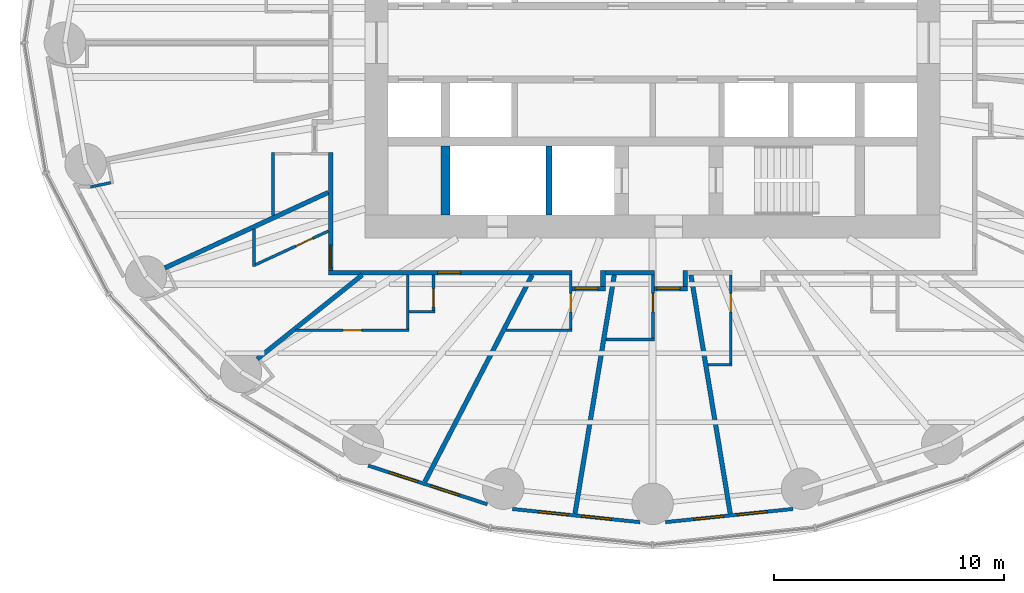
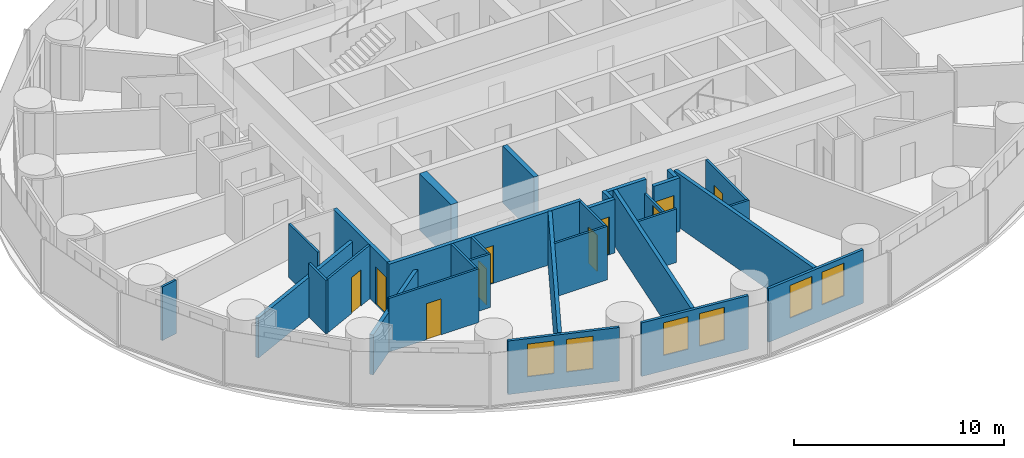
# One storey, part 6 of 14: 31 walls, 10 doors, 6 windows, 16 openings.
"""IFC4 building model written with IfcOpenShell, lengths in metres."""

from ifc_helpers import new_model, si_unit, direction, frame, frame_2d, origin, place, context, subcontext, project, spatial, rectangle, extrude, material, layer, layer_set, type_object, element, fill, save


model = new_model("IFC4")

# Units and contexts
model_context = context("Model", 3, precision=1e-05, world=origin(), true_north=direction((0.0, 1.0)))
body_context = subcontext(model_context, "Body", "Model", "MODEL_VIEW")
ifc_project = project(units=[si_unit("LENGTHUNIT", "METRE"), si_unit("AREAUNIT", "SQUARE_METRE"), si_unit("VOLUMEUNIT", "CUBIC_METRE"), si_unit("PLANEANGLEUNIT", "RADIAN"), si_unit("MASSUNIT", "GRAM", prefix="KILO")], contexts=[model_context])

# Site, building, storey
site_placement = place(None, origin())
site = spatial("IfcSite", under=ifc_project, at=site_placement, CompositionType="ELEMENT")
building_placement = place(site_placement, origin())
building = spatial("IfcBuilding", under=site, at=building_placement, Name="Hankou Lantern Tower", CompositionType="ELEMENT")
storey_placement = place(building_placement, frame((0.0, 0.0, 29.39990234375)))
storey = spatial("IfcBuildingStorey", under=building, at=storey_placement, Name="L05", CompositionType="ELEMENT", Elevation=29.39990234375)

# Wall
ifc_material_1 = material(Name="Concrete C60", Category="concrete")
ifc_layer_1 = layer(ifc_material_1, 0.39990234375)
ifc_layer_set_1 = layer_set([ifc_layer_1], Name="Concrete C60")
wall_type_1 = type_object("IfcWallType", Name="CW4 CORE CROSS WALL 400", PredefinedType="SHEAR", material=ifc_layer_set_1)
wall_1_placement = place(storey_placement, frame((-9.0, -7.5, 0.0), z_axis=(0.0, 0.0, 1.0), x_axis=(0.0, 1.0, 0.0)))
element("IfcWall", 1, at=wall_1_placement, inside=storey, type_object=wall_type_1, Name="Core strip wall L05", PredefinedType="SHEAR", context=body_context, shape_type="SweptSolid", body=[
    extrude(rectangle(XDim=3.0, YDim=0.39990234375, at=frame_2d((1.5, 0.0))), origin(), (0.0, 0.0, 1.0), 3.300048828125),
])

# Wall, openings, windows
ifc_material_2 = material(Name="Aluminium spandrel panel on steel studs", Category="steel")
ifc_layer_2 = layer(ifc_material_2, 0.14990234375)
ifc_layer_set_2 = layer_set([ifc_layer_2], Name="Aluminium spandrel panel on steel studs")
wall_type_2 = type_object("IfcWallType", Name="EW1 INNER SKIN WALL 150", PredefinedType="ELEMENTEDWALL", material=ifc_layer_set_2)
wall_2_placement = place(storey_placement, frame((-12.3662109375, -18.384033203125, 0.0), z_axis=(0.0, 0.0, 1.0), x_axis=(0.951138486029, -0.308764603532, 0.0)))
wall_2 = element("IfcWall", 2, at=wall_2_placement, inside=storey, type_object=wall_type_2, Name="Inner skin R17-R18 L05", PredefinedType="ELEMENTEDWALL", context=body_context, shape_type="SweptSolid", body=[
    extrude(rectangle(XDim=5.444091796875, YDim=0.14990234375, at=frame_2d((2.72216796875, 0.0))), origin(), (0.0, 0.0, 1.0), 3.1201171875),
])
opening_1_placement = place(wall_2_placement, frame((0.959716796875, 0.0, 0.89990234375)))
opening_1 = element("IfcOpeningElement", 3, at=opening_1_placement, cuts=wall_2, Name="Opening W9", PredefinedType="OPENING", context=body_context, shape_type="SweptSolid", body=[
    extrude(rectangle(XDim=1.300048828125, YDim=1.89990234375, at=frame_2d((0.64990234375, 0.949951171875))), frame((0.0, 0.0849609375, 0.0), z_axis=(0.0, -1.0, 0.0), x_axis=(1.0, 0.0, 0.0)), (0.0, 0.0, 1.0), 0.169921875),
])
opening_2_placement = place(wall_2_placement, frame((2.85986328125, 0.0, 0.89990234375)))
opening_2 = element("IfcOpeningElement", 4, at=opening_2_placement, cuts=wall_2, Name="Opening W9", PredefinedType="OPENING", context=body_context, shape_type="SweptSolid", body=[
    extrude(rectangle(XDim=1.300048828125, YDim=1.89990234375, at=frame_2d((0.64990234375, 0.949951171875))), frame((0.0, 0.0849609375, 0.0), z_axis=(0.0, -1.0, 0.0), x_axis=(1.0, 0.0, 0.0)), (0.0, 0.0, 1.0), 0.169921875),
])
ifc_material_3 = material(Name="Aluminium framed double glazed window", Category="aluminium")
window_type = type_object("IfcWindowType", Name="W9 GUEST ROOM WINDOW 1300X1900", PartitioningType="DOUBLE_PANEL_VERTICAL", PredefinedType="WINDOW", material=ifc_material_3)
window_1_placement = place(opening_1_placement, origin())
window_1 = element("IfcWindow", 5, at=window_1_placement, inside=storey, type_object=window_type, Name="Window R17.1 L05", OverallHeight=1.89990234375, OverallWidth=1.300048828125, PartitioningType="SINGLE_PANEL", PredefinedType="WINDOW", context=body_context, shape_type="SweptSolid", body=[
    extrude(rectangle(XDim=1.300048828125, YDim=1.89990234375, at=frame_2d((0.64990234375, 0.949951171875))), frame((0.0, 0.030029296875, 0.0), z_axis=(0.0, -1.0, 0.0), x_axis=(1.0, 0.0, 0.0)), (0.0, 0.0, 1.0), 0.06005859375),
])
fill(opening_1, window_1)
window_2_placement = place(opening_2_placement, origin())
window_2 = element("IfcWindow", 6, at=window_2_placement, inside=storey, type_object=window_type, Name="Window R17.2 L05", OverallHeight=1.89990234375, OverallWidth=1.300048828125, PartitioningType="SINGLE_PANEL", PredefinedType="WINDOW", context=body_context, shape_type="SweptSolid", body=[
    extrude(rectangle(XDim=1.300048828125, YDim=1.89990234375, at=frame_2d((0.64990234375, 0.949951171875))), frame((0.0, 0.030029296875, 0.0), z_axis=(0.0, -1.0, 0.0), x_axis=(1.0, 0.0, 0.0)), (0.0, 0.0, 1.0), 0.06005859375),
])
fill(opening_2, window_2)

wall_3_placement = place(storey_placement, frame((-6.09765625, -20.27099609375, 0.0), z_axis=(0.0, 0.0, 1.0), x_axis=(0.994723735084, -0.102589915983, 0.0)))
wall_3 = element("IfcWall", 7, at=wall_3_placement, inside=storey, type_object=wall_type_2, Name="Inner skin R18-R19 L05", PredefinedType="ELEMENTEDWALL", context=body_context, shape_type="SweptSolid", body=[
    extrude(rectangle(XDim=5.575927734375, YDim=0.14990234375, at=frame_2d((2.7880859375, 0.0))), origin(), (0.0, 0.0, 1.0), 3.1201171875),
])
opening_3_placement = place(wall_3_placement, frame((1.128662109375, 0.0, 0.89990234375)))
opening_3 = element("IfcOpeningElement", 8, at=opening_3_placement, cuts=wall_3, Name="Opening W9", PredefinedType="OPENING", context=body_context, shape_type="SweptSolid", body=[
    extrude(rectangle(XDim=1.300048828125, YDim=1.89990234375, at=frame_2d((0.64990234375, 0.949951171875))), frame((0.0, 0.0849609375, 0.0), z_axis=(0.0, -1.0, 0.0), x_axis=(1.0, 0.0, 0.0)), (0.0, 0.0, 1.0), 0.169921875),
])
opening_4_placement = place(wall_3_placement, frame((3.02880859375, 0.0, 0.89990234375)))
opening_4 = element("IfcOpeningElement", 9, at=opening_4_placement, cuts=wall_3, Name="Opening W9", PredefinedType="OPENING", context=body_context, shape_type="SweptSolid", body=[
    extrude(rectangle(XDim=1.300048828125, YDim=1.89990234375, at=frame_2d((0.64990234375, 0.949951171875))), frame((0.0, 0.0849609375, 0.0), z_axis=(0.0, -1.0, 0.0), x_axis=(1.0, 0.0, 0.0)), (0.0, 0.0, 1.0), 0.169921875),
])
window_3_placement = place(opening_3_placement, origin())
window_3 = element("IfcWindow", 10, at=window_3_placement, inside=storey, type_object=window_type, Name="Window R18.1 L05", OverallHeight=1.89990234375, OverallWidth=1.300048828125, PartitioningType="SINGLE_PANEL", PredefinedType="WINDOW", context=body_context, shape_type="SweptSolid", body=[
    extrude(rectangle(XDim=1.300048828125, YDim=1.89990234375, at=frame_2d((0.64990234375, 0.949951171875))), frame((0.0, 0.030029296875, 0.0), z_axis=(0.0, -1.0, 0.0), x_axis=(1.0, 0.0, 0.0)), (0.0, 0.0, 1.0), 0.06005859375),
])
fill(opening_3, window_3)
window_4_placement = place(opening_4_placement, origin())
window_4 = element("IfcWindow", 11, at=window_4_placement, inside=storey, type_object=window_type, Name="Window R18.2 L05", OverallHeight=1.89990234375, OverallWidth=1.300048828125, PartitioningType="SINGLE_PANEL", PredefinedType="WINDOW", context=body_context, shape_type="SweptSolid", body=[
    extrude(rectangle(XDim=1.300048828125, YDim=1.89990234375, at=frame_2d((0.64990234375, 0.949951171875))), frame((0.0, 0.030029296875, 0.0), z_axis=(0.0, -1.0, 0.0), x_axis=(1.0, 0.0, 0.0)), (0.0, 0.0, 1.0), 0.06005859375),
])
fill(opening_4, window_4)

wall_4_placement = place(storey_placement, frame((0.55126953125, -20.843017578125, 0.0), z_axis=(0.0, 0.0, 1.0), x_axis=(0.994723735084, 0.102589915983, 0.0)))
wall_4 = element("IfcWall", 12, at=wall_4_placement, inside=storey, type_object=wall_type_2, Name="Inner skin R19-R20 L05", PredefinedType="ELEMENTEDWALL", context=body_context, shape_type="SweptSolid", body=[
    extrude(rectangle(XDim=5.575927734375, YDim=0.14990234375, at=frame_2d((2.7880859375, 0.0))), origin(), (0.0, 0.0, 1.0), 3.1201171875),
])
opening_5_placement = place(wall_4_placement, frame((1.246826171875, 0.0, 0.89990234375)))
opening_5 = element("IfcOpeningElement", 13, at=opening_5_placement, cuts=wall_4, Name="Opening W9", PredefinedType="OPENING", context=body_context, shape_type="SweptSolid", body=[
    extrude(rectangle(XDim=1.300048828125, YDim=1.89990234375, at=frame_2d((0.64990234375, 0.949951171875))), frame((0.0, 0.0849609375, 0.0), z_axis=(0.0, -1.0, 0.0), x_axis=(1.0, 0.0, 0.0)), (0.0, 0.0, 1.0), 0.169921875),
])
opening_6_placement = place(wall_4_placement, frame((3.146728515625, 0.0, 0.89990234375)))
opening_6 = element("IfcOpeningElement", 14, at=opening_6_placement, cuts=wall_4, Name="Opening W9", PredefinedType="OPENING", context=body_context, shape_type="SweptSolid", body=[
    extrude(rectangle(XDim=1.300048828125, YDim=1.89990234375, at=frame_2d((0.64990234375, 0.949951171875))), frame((0.0, 0.0849609375, 0.0), z_axis=(0.0, -1.0, 0.0), x_axis=(1.0, 0.0, 0.0)), (0.0, 0.0, 1.0), 0.169921875),
])
window_5_placement = place(opening_5_placement, origin())
window_5 = element("IfcWindow", 15, at=window_5_placement, inside=storey, type_object=window_type, Name="Window R19.1 L05", OverallHeight=1.89990234375, OverallWidth=1.300048828125, PartitioningType="SINGLE_PANEL", PredefinedType="WINDOW", context=body_context, shape_type="SweptSolid", body=[
    extrude(rectangle(XDim=1.300048828125, YDim=1.89990234375, at=frame_2d((0.64990234375, 0.949951171875))), frame((0.0, 0.030029296875, 0.0), z_axis=(0.0, -1.0, 0.0), x_axis=(1.0, 0.0, 0.0)), (0.0, 0.0, 1.0), 0.06005859375),
])
fill(opening_5, window_5)
window_6_placement = place(opening_6_placement, origin())
window_6 = element("IfcWindow", 16, at=window_6_placement, inside=storey, type_object=window_type, Name="Window R19.2 L05", OverallHeight=1.89990234375, OverallWidth=1.300048828125, PartitioningType="SINGLE_PANEL", PredefinedType="WINDOW", context=body_context, shape_type="SweptSolid", body=[
    extrude(rectangle(XDim=1.300048828125, YDim=1.89990234375, at=frame_2d((0.64990234375, 0.949951171875))), frame((0.0, 0.030029296875, 0.0), z_axis=(0.0, -1.0, 0.0), x_axis=(1.0, 0.0, 0.0)), (0.0, 0.0, 1.0), 0.06005859375),
])
fill(opening_6, window_6)

# Walls
ifc_material_4 = material(Name="Masonry lightweight concrete block", Category="masonry")
ifc_layer_3 = layer(ifc_material_4, 0.199951171875)
ifc_layer_set_3 = layer_set([ifc_layer_3], Name="Masonry lightweight concrete block")
wall_type_3 = type_object("IfcWallType", Name="IW1 GUEST ROOM PARTY WALL 200", PredefinedType="PARTITIONING", material=ifc_layer_set_3)
wall_5_placement = place(storey_placement, frame((-14.10009765625, -6.512451171875, 0.0), z_axis=(0.0, 0.0, 1.0), x_axis=(-0.907842433118, -0.41931147925, 0.0)))
element("IfcWall", 17, at=wall_5_placement, inside=storey, type_object=wall_type_3, Name="Party wall R15", PredefinedType="PARTITIONING", context=body_context, shape_type="SweptSolid", body=[
    extrude(rectangle(XDim=7.822998046875, YDim=0.199951171875, at=frame_2d((3.91162109375, 0.0))), origin(), (0.0, 0.0, 1.0), 2.320068359375),
])
wall_6_placement = place(storey_placement, frame((-12.625, -10.10009765625, 0.0), z_axis=(0.0, 0.0, 1.0), x_axis=(-0.780872884676, -0.624689953479, 0.0)))
element("IfcWall", 18, at=wall_6_placement, inside=storey, type_object=wall_type_3, Name="Party wall R16", PredefinedType="PARTITIONING", context=body_context, shape_type="SweptSolid", body=[
    extrude(rectangle(XDim=5.8447265625, YDim=0.199951171875, at=frame_2d((2.92236328125, 0.0))), origin(), (0.0, 0.0, 1.0), 2.320068359375),
])
wall_7_placement = place(storey_placement, frame((-5.238525390625, -10.10009765625, 0.0), z_axis=(0.0, 0.0, 1.0), x_axis=(-0.460422783389, -0.887699758103, 0.0)))
element("IfcWall", 19, at=wall_7_placement, inside=storey, type_object=wall_type_3, Name="Party wall R17-R18", PredefinedType="PARTITIONING", context=body_context, shape_type="SweptSolid", body=[
    extrude(rectangle(XDim=10.120361328125, YDim=0.199951171875, at=frame_2d((5.06005859375, 0.0))), origin(), (0.0, 0.0, 1.0), 3.1201171875),
])
for number, where, z_axis, x_axis, name in (
    (20, (-1.6650390625, -10.10009765625, 0.0), (0.0, 0.0, 1.0), (-0.162657606458, -0.986682574621, 0.0), "Party wall R18-R19"),
    (21, (1.6650390625, -10.10009765625, 0.0), (0.0, 0.0, 1.0), (0.162657606458, -0.986682574621, 0.0), "Party wall R19-R20"),
):
    element("IfcWall", number, at=place(storey_placement, frame(where, z_axis=z_axis, x_axis=x_axis)), inside=storey, type_object=wall_type_3, Name=name, PredefinedType="PARTITIONING", context=body_context, shape_type="SweptSolid", body=[
        extrude(rectangle(XDim=10.505126953125, YDim=0.199951171875, at=frame_2d((5.25244140625, 0.0))), origin(), (0.0, 0.0, 1.0), 3.1201171875),
    ])

# Wall, opening, door
ifc_material_5 = material(Name="Masonry lightweight concrete block", Category="masonry")
ifc_layer_4 = layer(ifc_material_5, 0.199951171875)
ifc_layer_set_4 = layer_set([ifc_layer_4], Name="Masonry lightweight concrete block")
wall_type_4 = type_object("IfcWallType", Name="IW2 CORRIDOR WALL 200", PredefinedType="PARTITIONING", material=ifc_layer_set_4)
wall_8_placement = place(storey_placement, frame((-2.05859375, -10.699951171875, 0.0), z_axis=(0.0, 0.0, 1.0), x_axis=(-1.0, 0.0, 0.0)))
wall_8 = element("IfcWall", 22, at=wall_8_placement, inside=storey, type_object=wall_type_4, Name="Corridor recess wall 0519 back", PredefinedType="PARTITIONING", context=body_context, shape_type="SweptSolid", body=[
    extrude(rectangle(XDim=1.43994140625, YDim=0.199951171875, at=frame_2d((0.719970703125, 0.0))), origin(), (0.0, 0.0, 1.0), 3.1201171875),
])
opening_7_placement = place(wall_8_placement, frame((0.320068359375, 0.0, 0.0)))
opening_7 = element("IfcOpeningElement", 23, at=opening_7_placement, cuts=wall_8, Name="Opening D1", PredefinedType="OPENING", context=body_context, shape_type="SweptSolid", body=[
    extrude(rectangle(XDim=1.0, YDim=2.199951171875, at=frame_2d((0.5, 1.10009765625))), frame((0.0, 0.10986328125, 0.0), z_axis=(0.0, -1.0, 0.0), x_axis=(1.0, 0.0, 0.0)), (0.0, 0.0, 1.0), 0.219970703125),
])
ifc_material_6 = material(Name="Steel door leaf", Category="steel")
door_type_1 = type_object("IfcDoorType", Name="D1 GUEST ROOM DOOR 1000X2200", OperationType="SINGLE_SWING_LEFT", PredefinedType="DOOR", material=ifc_material_6)
door_1_placement = place(opening_7_placement, origin())
door_1 = element("IfcDoor", 24, at=door_1_placement, inside=storey, type_object=door_type_1, Name="Guest room door 0519", OperationType="SINGLE_SWING_RIGHT", OverallHeight=2.199951171875, OverallWidth=1.0, PredefinedType="DOOR", context=body_context, shape_type="SweptSolid", body=[
    extrude(rectangle(XDim=1.0, YDim=2.199951171875, at=frame_2d((0.5, 1.10009765625))), frame((0.0, 0.02490234375, 0.0), z_axis=(0.0, -1.0, 0.0), x_axis=(1.0, 0.0, 0.0)), (0.0, 0.0, 1.0), 0.050048828125),
])
fill(opening_7, door_1)

# Wall
wall_9_placement = place(storey_placement, frame((-2.15869140625, -9.89990234375, 0.0), z_axis=(0.0, 0.0, 1.0), x_axis=(0.0, -1.0, 0.0)))
element("IfcWall", 25, at=wall_9_placement, inside=storey, type_object=wall_type_4, Name="Corridor recess wall 0519 side", PredefinedType="PARTITIONING", context=body_context, shape_type="SweptSolid", body=[
    extrude(rectangle(XDim=0.7001953125, YDim=0.199951171875, at=frame_2d((0.35009765625, 0.0))), origin(), (0.0, 0.0, 1.0), 3.1201171875),
])

# Wall, opening, door
wall_10_placement = place(storey_placement, frame((1.51513671875, -10.699951171875, 0.0), z_axis=(0.0, 0.0, 1.0), x_axis=(-1.0, 0.0, 0.0)))
wall_10 = element("IfcWall", 26, at=wall_10_placement, inside=storey, type_object=wall_type_4, Name="Corridor recess wall 0520 back", PredefinedType="PARTITIONING", context=body_context, shape_type="SweptSolid", body=[
    extrude(rectangle(XDim=1.440185546875, YDim=0.199951171875, at=frame_2d((0.72021484375, 0.0))), origin(), (0.0, 0.0, 1.0), 3.1201171875),
])
opening_8_placement = place(wall_10_placement, frame((0.320068359375, 0.0, 0.0)))
opening_8 = element("IfcOpeningElement", 27, at=opening_8_placement, cuts=wall_10, Name="Opening D1", PredefinedType="OPENING", context=body_context, shape_type="SweptSolid", body=[
    extrude(rectangle(XDim=1.0, YDim=2.199951171875, at=frame_2d((0.5, 1.10009765625))), frame((0.0, 0.10986328125, 0.0), z_axis=(0.0, -1.0, 0.0), x_axis=(1.0, 0.0, 0.0)), (0.0, 0.0, 1.0), 0.219970703125),
])
door_2_placement = place(opening_8_placement, origin())
door_2 = element("IfcDoor", 28, at=door_2_placement, inside=storey, type_object=door_type_1, Name="Guest room door 0520", OperationType="SINGLE_SWING_RIGHT", OverallHeight=2.199951171875, OverallWidth=1.0, PredefinedType="DOOR", context=body_context, shape_type="SweptSolid", body=[
    extrude(rectangle(XDim=1.0, YDim=2.199951171875, at=frame_2d((0.5, 1.10009765625))), frame((0.0, 0.02490234375, 0.0), z_axis=(0.0, -1.0, 0.0), x_axis=(1.0, 0.0, 0.0)), (0.0, 0.0, 1.0), 0.050048828125),
])
fill(opening_8, door_2)

# Wall
wall_11_placement = place(storey_placement, frame((1.4150390625, -9.89990234375, 0.0), z_axis=(0.0, 0.0, 1.0), x_axis=(0.0, -1.0, 0.0)))
element("IfcWall", 29, at=wall_11_placement, inside=storey, type_object=wall_type_4, Name="Corridor recess wall 0520 side", PredefinedType="PARTITIONING", context=body_context, shape_type="SweptSolid", body=[
    extrude(rectangle(XDim=0.7001953125, YDim=0.199951171875, at=frame_2d((0.35009765625, 0.0))), origin(), (0.0, 0.0, 1.0), 3.1201171875),
])

# Wall, opening, door
wall_12_placement = place(storey_placement, frame((-14.0, -4.7724609375, 0.0), z_axis=(0.0, 0.0, 1.0), x_axis=(0.0, -1.0, 0.0)))
wall_12 = element("IfcWall", 30, at=wall_12_placement, inside=storey, type_object=wall_type_4, Name="Corridor wall west", PredefinedType="PARTITIONING", context=body_context, shape_type="SweptSolid", body=[
    extrude(rectangle(XDim=5.12744140625, YDim=0.199951171875, at=frame_2d((2.563720703125, 0.0))), origin(), (0.0, 0.0, 1.0), 3.1201171875),
])
opening_9_placement = place(wall_12_placement, frame((4.02490234375, 0.0, 0.0)))
opening_9 = element("IfcOpeningElement", 31, at=opening_9_placement, cuts=wall_12, Name="Opening D1", PredefinedType="OPENING", context=body_context, shape_type="SweptSolid", body=[
    extrude(rectangle(XDim=1.0, YDim=2.199951171875, at=frame_2d((0.5, 1.10009765625))), frame((0.0, 0.10986328125, 0.0), z_axis=(0.0, -1.0, 0.0), x_axis=(1.0, 0.0, 0.0)), (0.0, 0.0, 1.0), 0.219970703125),
])
door_3_placement = place(opening_9_placement, origin())
door_3 = element("IfcDoor", 32, at=door_3_placement, inside=storey, type_object=door_type_1, Name="Guest room door 0517", OperationType="SINGLE_SWING_RIGHT", OverallHeight=2.199951171875, OverallWidth=1.0, PredefinedType="DOOR", context=body_context, shape_type="SweptSolid", body=[
    extrude(rectangle(XDim=1.0, YDim=2.199951171875, at=frame_2d((0.5, 1.10009765625))), frame((0.0, 0.02490234375, 0.0), z_axis=(0.0, -1.0, 0.0), x_axis=(1.0, 0.0, 0.0)), (0.0, 0.0, 1.0), 0.050048828125),
])
fill(opening_9, door_3)

# Wall
wall_13_placement = place(storey_placement, frame((0.074951171875, -10.0, 0.0), z_axis=(0.0, 0.0, 1.0), x_axis=(-1.0, 0.0, 0.0)))
element("IfcWall", 33, at=wall_13_placement, inside=storey, type_object=wall_type_4, Name="Corridor wall south", PredefinedType="PARTITIONING", context=body_context, shape_type="SweptSolid", body=[
    extrude(rectangle(XDim=2.133544921875, YDim=0.199951171875, at=frame_2d((1.06689453125, 0.0))), origin(), (0.0, 0.0, 1.0), 3.1201171875),
])

# Wall, opening, door
wall_14_placement = place(storey_placement, frame((-3.49853515625, -10.0, 0.0), z_axis=(0.0, 0.0, 1.0), x_axis=(-1.0, 0.0, 0.0)))
wall_14 = element("IfcWall", 34, at=wall_14_placement, inside=storey, type_object=wall_type_4, Name="Corridor wall south", PredefinedType="PARTITIONING", context=body_context, shape_type="SweptSolid", body=[
    extrude(rectangle(XDim=10.6015625, YDim=0.199951171875, at=frame_2d((5.30078125, 0.0))), origin(), (0.0, 0.0, 1.0), 3.1201171875),
])
opening_10_placement = place(wall_14_placement, frame((4.846435546875, 0.0, 0.0)))
opening_10 = element("IfcOpeningElement", 35, at=opening_10_placement, cuts=wall_14, Name="Opening D1", PredefinedType="OPENING", context=body_context, shape_type="SweptSolid", body=[
    extrude(rectangle(XDim=1.0, YDim=2.199951171875, at=frame_2d((0.5, 1.10009765625))), frame((0.0, 0.10986328125, 0.0), z_axis=(0.0, -1.0, 0.0), x_axis=(1.0, 0.0, 0.0)), (0.0, 0.0, 1.0), 0.219970703125),
])
door_4_placement = place(opening_10_placement, origin())
door_4 = element("IfcDoor", 36, at=door_4_placement, inside=storey, type_object=door_type_1, Name="Guest room door 0518", OperationType="SINGLE_SWING_RIGHT", OverallHeight=2.199951171875, OverallWidth=1.0, PredefinedType="DOOR", context=body_context, shape_type="SweptSolid", body=[
    extrude(rectangle(XDim=1.0, YDim=2.199951171875, at=frame_2d((0.5, 1.10009765625))), frame((0.0, 0.02490234375, 0.0), z_axis=(0.0, -1.0, 0.0), x_axis=(1.0, 0.0, 0.0)), (0.0, 0.0, 1.0), 0.050048828125),
])
fill(opening_10, door_4)

# Walls
ifc_material_7 = material(Name="Masonry lightweight concrete block", Category="masonry")
ifc_layer_5 = layer(ifc_material_7, 0.1201171875)
ifc_layer_set_5 = layer_set([ifc_layer_5], Name="Masonry lightweight concrete block")
wall_type_5 = type_object("IfcWallType", Name="IW3 BATHROOM WALL 120", PredefinedType="PARTITIONING", material=ifc_layer_set_5)
wall_15_placement = place(storey_placement, frame((-16.5, -7.52099609375, 0.0), z_axis=(0.0, 0.0, 1.0), x_axis=(0.0, 1.0, 0.0)))
element("IfcWall", 37, at=wall_15_placement, inside=storey, type_object=wall_type_5, Name="Box wall 0516 1", PredefinedType="PARTITIONING", context=body_context, shape_type="SweptSolid", body=[
    extrude(rectangle(XDim=2.74853515625, YDim=0.1201171875, at=frame_2d((1.374267578125, 0.0))), origin(), (0.0, 0.0, 1.0), 3.1201171875),
])
wall_16_placement = place(storey_placement, frame((-17.32275390625, -8.10107421875, 0.0), z_axis=(0.0, 0.0, 1.0), x_axis=(0.0, -1.0, 0.0)))
element("IfcWall", 38, at=wall_16_placement, inside=storey, type_object=wall_type_5, Name="Box wall 0517 1", PredefinedType="PARTITIONING", context=body_context, shape_type="SweptSolid", body=[
    extrude(rectangle(XDim=1.639892578125, YDim=0.1201171875, at=frame_2d((0.81982421875, 0.0))), origin(), (0.0, 0.0, 1.0), 3.1201171875),
])

# Wall, opening, door
wall_17_placement = place(storey_placement, frame((-14.10009765625, -8.192626953125, 0.0), z_axis=(0.0, 0.0, 1.0), x_axis=(-0.907836493557, -0.419324338628, 0.0)))
wall_17 = element("IfcWall", 39, at=wall_17_placement, inside=storey, type_object=wall_type_5, Name="Box wall 0517 1", PredefinedType="PARTITIONING", context=body_context, shape_type="SweptSolid", body=[
    extrude(rectangle(XDim=3.48974609375, YDim=0.1201171875, at=frame_2d((1.744873046875, 0.0))), origin(), (0.0, 0.0, 1.0), 3.1201171875),
])
opening_11_placement = place(wall_17_placement, frame((0.75, 0.0, 0.0)))
opening_11 = element("IfcOpeningElement", 40, at=opening_11_placement, cuts=wall_17, Name="Opening D3", PredefinedType="OPENING", context=body_context, shape_type="SweptSolid", body=[
    extrude(rectangle(XDim=0.800048828125, YDim=2.10009765625, at=frame_2d((0.39990234375, 1.050048828125))), frame((0.0, 0.070068359375, 0.0), z_axis=(0.0, -1.0, 0.0), x_axis=(1.0, 0.0, 0.0)), (0.0, 0.0, 1.0), 0.14013671875),
])
ifc_material_8 = material(Name="Timber door leaf", Category="wood")
door_type_2 = type_object("IfcDoorType", Name="D3 BATHROOM DOOR 800X2100", OperationType="SINGLE_SWING_LEFT", PredefinedType="DOOR", material=ifc_material_8)
door_5_placement = place(opening_11_placement, origin())
door_5 = element("IfcDoor", 41, at=door_5_placement, inside=storey, type_object=door_type_2, Name="En-suite bathroom 0517 door", OperationType="SINGLE_SWING_LEFT", OverallHeight=2.10009765625, OverallWidth=0.800048828125, PredefinedType="DOOR", context=body_context, shape_type="SweptSolid", body=[
    extrude(rectangle(XDim=0.800048828125, YDim=2.10009765625, at=frame_2d((0.39990234375, 1.050048828125))), frame((0.0, 0.02490234375, 0.0), z_axis=(0.0, -1.0, 0.0), x_axis=(1.0, 0.0, 0.0)), (0.0, 0.0, 1.0), 0.050048828125),
])
fill(opening_11, door_5)

wall_18_placement = place(storey_placement, frame((-15.52490234375, -12.5, 0.0), z_axis=(0.0, 0.0, 1.0), x_axis=(1.0, 0.0, 0.0)))
wall_18 = element("IfcWall", 42, at=wall_18_placement, inside=storey, type_object=wall_type_5, Name="Box wall 0518 1", PredefinedType="PARTITIONING", context=body_context, shape_type="SweptSolid", body=[
    extrude(rectangle(XDim=4.93994140625, YDim=0.1201171875, at=frame_2d((2.469970703125, 0.0))), origin(), (0.0, 0.0, 1.0), 3.1201171875),
])
opening_12_placement = place(wall_18_placement, frame((2.070068359375, 0.0, 0.0)))
opening_12 = element("IfcOpeningElement", 43, at=opening_12_placement, cuts=wall_18, Name="Opening D3", PredefinedType="OPENING", context=body_context, shape_type="SweptSolid", body=[
    extrude(rectangle(XDim=0.800048828125, YDim=2.10009765625, at=frame_2d((0.39990234375, 1.050048828125))), frame((0.0, 0.070068359375, 0.0), z_axis=(0.0, -1.0, 0.0), x_axis=(1.0, 0.0, 0.0)), (0.0, 0.0, 1.0), 0.14013671875),
])
door_6_placement = place(opening_12_placement, origin())
door_6 = element("IfcDoor", 44, at=door_6_placement, inside=storey, type_object=door_type_2, Name="En-suite bathroom 0518 door", OperationType="SINGLE_SWING_RIGHT", OverallHeight=2.10009765625, OverallWidth=0.800048828125, PredefinedType="DOOR", context=body_context, shape_type="SweptSolid", body=[
    extrude(rectangle(XDim=0.800048828125, YDim=2.10009765625, at=frame_2d((0.39990234375, 1.050048828125))), frame((0.0, 0.02490234375, 0.0), z_axis=(0.0, -1.0, 0.0), x_axis=(1.0, 0.0, 0.0)), (0.0, 0.0, 1.0), 0.050048828125),
])
fill(opening_12, door_6)

# Walls
wall_19_placement = place(storey_placement, frame((-10.64501953125, -10.10009765625, 0.0), z_axis=(0.0, 0.0, 1.0), x_axis=(0.0, -1.0, 0.0)))
element("IfcWall", 45, at=wall_19_placement, inside=storey, type_object=wall_type_5, Name="Box wall 0518 1", PredefinedType="PARTITIONING", context=body_context, shape_type="SweptSolid", body=[
    extrude(rectangle(XDim=2.33984375, YDim=0.1201171875, at=frame_2d((1.169921875, 0.0))), origin(), (0.0, 0.0, 1.0), 3.1201171875),
])
wall_20_placement = place(storey_placement, frame((-10.5849609375, -11.699951171875, 0.0), z_axis=(0.0, 0.0, 1.0), x_axis=(1.0, 0.0, 0.0)))
element("IfcWall", 46, at=wall_20_placement, inside=storey, type_object=wall_type_5, Name="Box wall 0518 2", PredefinedType="PARTITIONING", context=body_context, shape_type="SweptSolid", body=[
    extrude(rectangle(XDim=1.119873046875, YDim=0.1201171875, at=frame_2d((0.56005859375, 0.0))), origin(), (0.0, 0.0, 1.0), 3.1201171875),
])

# Wall, opening, door
wall_21_placement = place(storey_placement, frame((-9.52490234375, -10.10009765625, 0.0), z_axis=(0.0, 0.0, 1.0), x_axis=(0.0, -1.0, 0.0)))
wall_21 = element("IfcWall", 47, at=wall_21_placement, inside=storey, type_object=wall_type_5, Name="Box wall 0518 2", PredefinedType="PARTITIONING", context=body_context, shape_type="SweptSolid", body=[
    extrude(rectangle(XDim=1.539794921875, YDim=0.1201171875, at=frame_2d((0.77001953125, 0.0))), origin(), (0.0, 0.0, 1.0), 3.1201171875),
])
opening_13_placement = place(wall_21_placement, frame((0.590087890625, 0.0, 0.0)))
opening_13 = element("IfcOpeningElement", 48, at=opening_13_placement, cuts=wall_21, Name="Opening D3", PredefinedType="OPENING", context=body_context, shape_type="SweptSolid", body=[
    extrude(rectangle(XDim=0.800048828125, YDim=2.10009765625, at=frame_2d((0.39990234375, 1.050048828125))), frame((0.0, 0.070068359375, 0.0), z_axis=(0.0, -1.0, 0.0), x_axis=(1.0, 0.0, 0.0)), (0.0, 0.0, 1.0), 0.14013671875),
])
door_7_placement = place(opening_13_placement, origin())
door_7 = element("IfcDoor", 49, at=door_7_placement, inside=storey, type_object=door_type_2, Name="En-suite WC 0518 door", OperationType="SINGLE_SWING_LEFT", OverallHeight=2.10009765625, OverallWidth=0.800048828125, PredefinedType="DOOR", context=body_context, shape_type="SweptSolid", body=[
    extrude(rectangle(XDim=0.800048828125, YDim=2.10009765625, at=frame_2d((0.39990234375, 1.050048828125))), frame((0.0, 0.02490234375, 0.0), z_axis=(0.0, -1.0, 0.0), x_axis=(1.0, 0.0, 0.0)), (0.0, 0.0, 1.0), 0.050048828125),
])
fill(opening_13, door_7)

# Wall
wall_22_placement = place(storey_placement, frame((-6.38330078125, -12.5, 0.0), z_axis=(0.0, 0.0, 1.0), x_axis=(1.0, 0.0, 0.0)))
element("IfcWall", 50, at=wall_22_placement, inside=storey, type_object=wall_type_5, Name="Box wall 0519 1", PredefinedType="PARTITIONING", context=body_context, shape_type="SweptSolid", body=[
    extrude(rectangle(XDim=2.884765625, YDim=0.1201171875, at=frame_2d((1.4423828125, 0.0))), origin(), (0.0, 0.0, 1.0), 3.1201171875),
])

# Wall, opening, door
wall_23_placement = place(storey_placement, frame((-3.55859375, -10.10009765625, 0.0), z_axis=(0.0, 0.0, 1.0), x_axis=(0.0, -1.0, 0.0)))
wall_23 = element("IfcWall", 51, at=wall_23_placement, inside=storey, type_object=wall_type_5, Name="Box wall 0519 1", PredefinedType="PARTITIONING", context=body_context, shape_type="SweptSolid", body=[
    extrude(rectangle(XDim=2.33984375, YDim=0.1201171875, at=frame_2d((1.169921875, 0.0))), origin(), (0.0, 0.0, 1.0), 3.1201171875),
])
opening_14_placement = place(wall_23_placement, frame((0.800048828125, 0.0, 0.0)))
opening_14 = element("IfcOpeningElement", 52, at=opening_14_placement, cuts=wall_23, Name="Opening D3", PredefinedType="OPENING", context=body_context, shape_type="SweptSolid", body=[
    extrude(rectangle(XDim=0.800048828125, YDim=2.10009765625, at=frame_2d((0.39990234375, 1.050048828125))), frame((0.0, 0.070068359375, 0.0), z_axis=(0.0, -1.0, 0.0), x_axis=(1.0, 0.0, 0.0)), (0.0, 0.0, 1.0), 0.14013671875),
])
door_8_placement = place(opening_14_placement, origin())
door_8 = element("IfcDoor", 53, at=door_8_placement, inside=storey, type_object=door_type_2, Name="En-suite bathroom 0519 door", OperationType="SINGLE_SWING_LEFT", OverallHeight=2.10009765625, OverallWidth=0.800048828125, PredefinedType="DOOR", context=body_context, shape_type="SweptSolid", body=[
    extrude(rectangle(XDim=0.800048828125, YDim=2.10009765625, at=frame_2d((0.39990234375, 1.050048828125))), frame((0.0, 0.02490234375, 0.0), z_axis=(0.0, -1.0, 0.0), x_axis=(1.0, 0.0, 0.0)), (0.0, 0.0, 1.0), 0.050048828125),
])
fill(opening_14, door_8)

# Wall
wall_24_placement = place(storey_placement, frame((-2.026611328125, -12.89990234375, 0.0), z_axis=(0.0, 0.0, 1.0), x_axis=(1.0, 0.0, 0.0)))
element("IfcWall", 54, at=wall_24_placement, inside=storey, type_object=wall_type_5, Name="Box wall 0520 1", PredefinedType="PARTITIONING", context=body_context, shape_type="SweptSolid", body=[
    extrude(rectangle(XDim=2.1015625, YDim=0.1201171875, at=frame_2d((1.05078125, 0.0))), origin(), (0.0, 0.0, 1.0), 3.1201171875),
])

# Wall, opening, door
wall_25_placement = place(storey_placement, frame((0.01513671875, -10.10009765625, 0.0), z_axis=(0.0, 0.0, 1.0), x_axis=(0.0, -1.0, 0.0)))
wall_25 = element("IfcWall", 55, at=wall_25_placement, inside=storey, type_object=wall_type_5, Name="Box wall 0520 1", PredefinedType="PARTITIONING", context=body_context, shape_type="SweptSolid", body=[
    extrude(rectangle(XDim=2.739990234375, YDim=0.1201171875, at=frame_2d((1.3701171875, 0.0))), origin(), (0.0, 0.0, 1.0), 2.320068359375),
])
opening_15_placement = place(wall_25_placement, frame((0.800048828125, 0.0, 0.0)))
opening_15 = element("IfcOpeningElement", 56, at=opening_15_placement, cuts=wall_25, Name="Opening D3", PredefinedType="OPENING", context=body_context, shape_type="SweptSolid", body=[
    extrude(rectangle(XDim=0.800048828125, YDim=2.10009765625, at=frame_2d((0.39990234375, 1.050048828125))), frame((0.0, 0.070068359375, 0.0), z_axis=(0.0, -1.0, 0.0), x_axis=(1.0, 0.0, 0.0)), (0.0, 0.0, 1.0), 0.14013671875),
])
door_9_placement = place(opening_15_placement, origin())
door_9 = element("IfcDoor", 57, at=door_9_placement, inside=storey, type_object=door_type_2, Name="En-suite bathroom 0520 door", OperationType="SINGLE_SWING_LEFT", OverallHeight=2.10009765625, OverallWidth=0.800048828125, PredefinedType="DOOR", context=body_context, shape_type="SweptSolid", body=[
    extrude(rectangle(XDim=0.800048828125, YDim=2.10009765625, at=frame_2d((0.39990234375, 1.050048828125))), frame((0.0, 0.02490234375, 0.0), z_axis=(0.0, -1.0, 0.0), x_axis=(1.0, 0.0, 0.0)), (0.0, 0.0, 1.0), 0.050048828125),
])
fill(opening_15, door_9)

# Wall
wall_26_placement = place(storey_placement, frame((2.407958984375, -14.0, 0.0), z_axis=(0.0, 0.0, 1.0), x_axis=(1.0, 0.0, 0.0)))
element("IfcWall", 58, at=wall_26_placement, inside=storey, type_object=wall_type_5, Name="Box wall 0521 1", PredefinedType="PARTITIONING", context=body_context, shape_type="SweptSolid", body=[
    extrude(rectangle(XDim=1.047119140625, YDim=0.1201171875, at=frame_2d((0.5234375, 0.0))), origin(), (0.0, 0.0, 1.0), 3.1201171875),
])

# Wall, opening, door
wall_27_placement = place(storey_placement, frame((3.39501953125, -10.10009765625, 0.0), z_axis=(0.0, 0.0, 1.0), x_axis=(0.0, -1.0, 0.0)))
wall_27 = element("IfcWall", 59, at=wall_27_placement, inside=storey, type_object=wall_type_5, Name="Box wall 0521 1", PredefinedType="PARTITIONING", context=body_context, shape_type="SweptSolid", body=[
    extrude(rectangle(XDim=3.83984375, YDim=0.1201171875, at=frame_2d((1.919921875, 0.0))), origin(), (0.0, 0.0, 1.0), 3.1201171875),
])
opening_16_placement = place(wall_27_placement, frame((0.800048828125, 0.0, 0.0)))
opening_16 = element("IfcOpeningElement", 60, at=opening_16_placement, cuts=wall_27, Name="Opening D3", PredefinedType="OPENING", context=body_context, shape_type="SweptSolid", body=[
    extrude(rectangle(XDim=0.800048828125, YDim=2.10009765625, at=frame_2d((0.39990234375, 1.050048828125))), frame((0.0, 0.070068359375, 0.0), z_axis=(0.0, -1.0, 0.0), x_axis=(1.0, 0.0, 0.0)), (0.0, 0.0, 1.0), 0.14013671875),
])
door_10_placement = place(opening_16_placement, origin())
door_10 = element("IfcDoor", 61, at=door_10_placement, inside=storey, type_object=door_type_2, Name="En-suite bathroom 0521 door", OperationType="SINGLE_SWING_LEFT", OverallHeight=2.10009765625, OverallWidth=0.800048828125, PredefinedType="DOOR", context=body_context, shape_type="SweptSolid", body=[
    extrude(rectangle(XDim=0.800048828125, YDim=2.10009765625, at=frame_2d((0.39990234375, 1.050048828125))), frame((0.0, 0.02490234375, 0.0), z_axis=(0.0, -1.0, 0.0), x_axis=(1.0, 0.0, 0.0)), (0.0, 0.0, 1.0), 0.050048828125),
])
fill(opening_16, door_10)

# Walls
ifc_material_9 = material(Name="Masonry lightweight concrete block", Category="masonry")
ifc_layer_6 = layer(ifc_material_9, 0.1201171875)
ifc_layer_set_6 = layer_set([ifc_layer_6], Name="Masonry lightweight concrete block")
wall_type_6 = type_object("IfcWallType", Name="IW4 PARTITION 120", PredefinedType="PARTITIONING", material=ifc_layer_set_6)
wall_28_placement = place(storey_placement, frame((-23.554443359375, -6.086669921875, 0.0), z_axis=(0.0, 0.0, 1.0), x_axis=(-0.977762694187, -0.209714362543, 0.0)))
element("IfcWall", 62, at=wall_28_placement, inside=storey, type_object=wall_type_6, Name="Column casing R14", PredefinedType="PARTITIONING", context=body_context, shape_type="SweptSolid", body=[
    extrude(rectangle(XDim=0.89990234375, YDim=0.1201171875, at=frame_2d((0.449951171875, 0.0))), origin(), (0.0, 0.0, 1.0), 3.1201171875),
])
ifc_material_10 = material(Name="Masonry autoclaved aerated concrete block", Category="masonry")
ifc_layer_7 = layer(ifc_material_10, 0.25)
ifc_layer_set_7 = layer_set([ifc_layer_7], Name="Masonry autoclaved aerated concrete block")
wall_type_7 = type_object("IfcWallType", Name="SW1 SHAFT BLOCK WALL 250", PredefinedType="PARTITIONING", material=ifc_layer_set_7)
wall_29_placement = place(storey_placement, frame((-4.5, -7.5, 0.0), z_axis=(0.0, 0.0, 1.0), x_axis=(0.0, 1.0, 0.0)))
element("IfcWall", 63, at=wall_29_placement, inside=storey, type_object=wall_type_7, Name="Riser wall L05", PredefinedType="PARTITIONING", context=body_context, shape_type="SweptSolid", body=[
    extrude(rectangle(XDim=3.0, YDim=0.25, at=frame_2d((1.5, 0.0))), origin(), (0.0, 0.0, 1.0), 3.300048828125),
])

save(model, "model.ifc")
